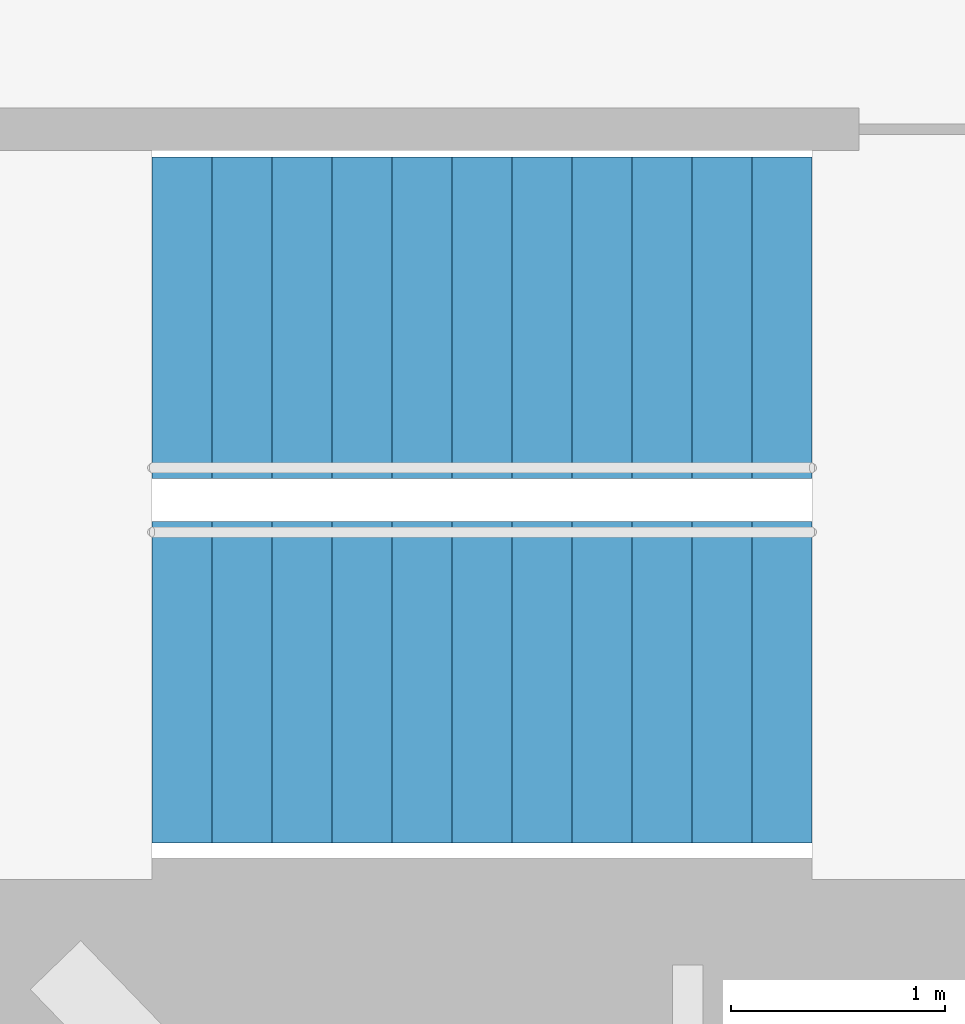
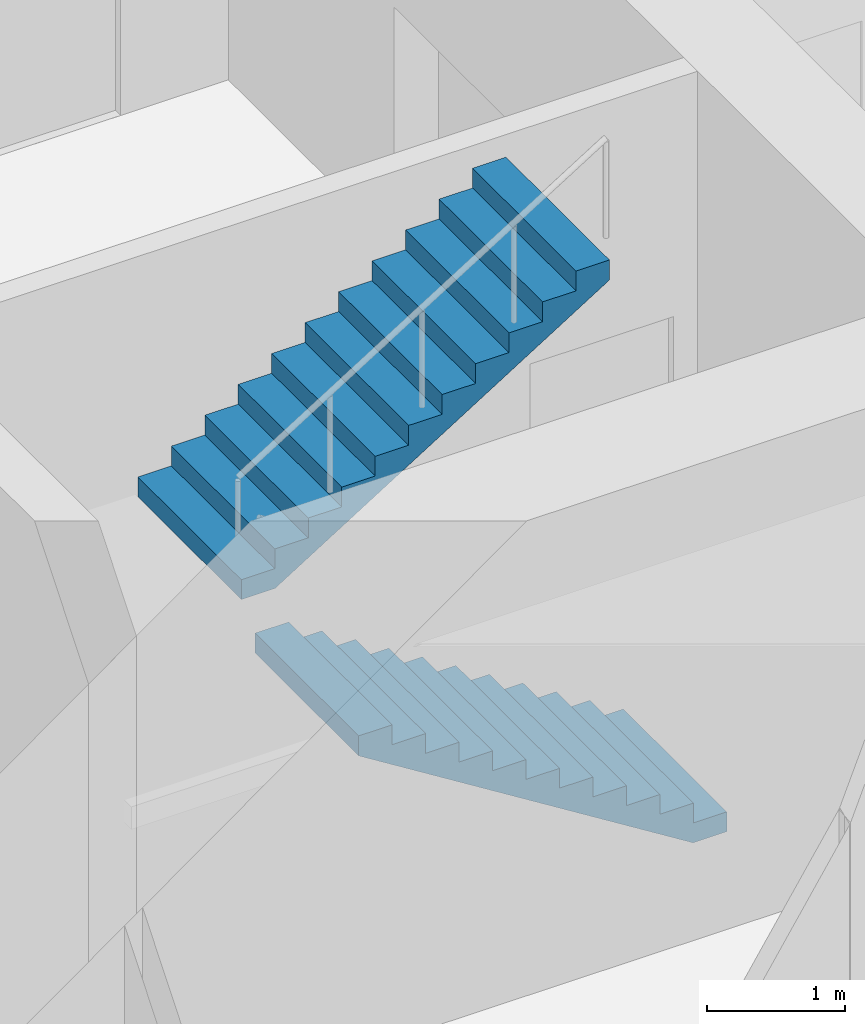
# One storey, part 17 of 18: 2 stair flights, 1 element without a shape of its own.
"""IFC4 building model written with IfcOpenShell, lengths in metres."""

import ifcopenshell
import ifcopenshell.guid

model = None  # the IFC model being written
_history = None  # IfcOwnerHistory: only IFC2X3 demands one
_inside = {}  # id of a spatial element -> (the spatial element, [elements in it])
_under = {}  # id of a project, library or spatial element -> (it, [spatial elements below it])
_declared = {}  # id of a project -> (the project, [libraries it declares])
_typed = {}  # id of a type object -> (the type object, [elements of that type])
_made_of = {}  # id of a material, layer set ... -> (it, [elements and type objects made of it])


def new_model(schema):
    """Start an empty IFC model of exactly this schema.

    Asked for "IFC4X3", IfcOpenShell would pick the latest addendum, in which some entities
    have other attributes; the version numbers below select the first issue.
    IFC2X3 requires an IfcOwnerHistory on every rooted entity: one is made here for all.
    """
    global model, _history
    if schema == "IFC4X3":
        model = ifcopenshell.file(schema_version=(4, 3, 0, 0))
    else:
        model = ifcopenshell.file(schema=schema)
    _inside.clear()
    _under.clear()
    _declared.clear()
    _typed.clear()
    _made_of.clear()
    _history = None
    if model.schema == "IFC2X3":
        org = make("IfcOrganization", Name="unknown")
        user = make(
            "IfcPersonAndOrganization",
            ThePerson=make("IfcPerson", FamilyName="unknown"),
            TheOrganization=org,
        )
        app = make(
            "IfcApplication",
            ApplicationDeveloper=org,
            Version="unknown",
            ApplicationFullName="unknown",
            ApplicationIdentifier="unknown",
        )
        _history = make(
            "IfcOwnerHistory",
            OwningUser=user,
            OwningApplication=app,
            ChangeAction="ADDED",
            CreationDate=0,
        )
    return model


def make(cls, **values):
    """One entity of the class cls with the attributes given. An attribute that is None is left unset."""
    return model.create_entity(
        cls, **{name: value for name, value in values.items() if value is not None}
    )


def rooted(cls, **values):
    """An entity with a GlobalId (a new one), such as an element, a storey or a relation."""
    return make(cls, GlobalId=ifcopenshell.guid.new(), OwnerHistory=_history, **values)


def si_unit(unit_type, name, prefix=None):
    """IfcSIUnit, for example si_unit("LENGTHUNIT", "METRE", prefix="MILLI")."""
    return make("IfcSIUnit", UnitType=unit_type, Prefix=prefix, Name=name)


def assignment(units):
    """IfcUnitAssignment: the units of a project."""
    return None if units is None else make("IfcUnitAssignment", Units=units)


def point(xyz):
    """IfcCartesianPoint."""
    return None if xyz is None else make("IfcCartesianPoint", Coordinates=xyz)


def direction(xyz):
    """IfcDirection."""
    return None if xyz is None else make("IfcDirection", DirectionRatios=xyz)


def frame(location, z_axis=None, x_axis=None):
    """IfcAxis2Placement3D, a coordinate frame: its origin and axes. An axis left out is left unset."""
    return make(
        "IfcAxis2Placement3D",
        Location=point(location),
        Axis=direction(z_axis),
        RefDirection=direction(x_axis),
    )


def origin():
    """The frame at (0, 0, 0) with its axes left unset."""
    return frame((0.0, 0.0, 0.0))


def place(relative_to, where):
    """IfcLocalPlacement: puts the frame where relative to a parent placement (None: the world)."""
    return make(
        "IfcLocalPlacement", PlacementRelTo=relative_to, RelativePlacement=where
    )


def context(
    kind, dimensions, precision=None, world=None, true_north=None, identifier=None
):
    """IfcGeometricRepresentationContext, for example the 3D "Model" context."""
    return make(
        "IfcGeometricRepresentationContext",
        ContextIdentifier=identifier,
        ContextType=kind,
        CoordinateSpaceDimension=dimensions,
        Precision=precision,
        WorldCoordinateSystem=world,
        TrueNorth=true_north,
    )


def subcontext(parent, identifier, kind, view, scale=None):
    """IfcGeometricRepresentationSubContext, for example "Body" below "Model"."""
    return make(
        "IfcGeometricRepresentationSubContext",
        ContextIdentifier=identifier,
        ContextType=kind,
        ParentContext=parent,
        TargetScale=scale,
        TargetView=view,
    )


def project(units=None, contexts=None):
    """IfcProject with its units and contexts."""
    return rooted(
        "IfcProject",
        Name="project",
        RepresentationContexts=contexts,
        UnitsInContext=assignment(units),
    )


def spatial(cls, under=None, at=None, **own):
    """A site, building, storey or space (cls), placed at a placement, below another one or the project."""
    s = rooted(cls, ObjectPlacement=at, **own)
    if under is not None:
        _under.setdefault(under.id(), (under, []))[1].append(s)
    return s


def point_list(points):
    """IfcCartesianPointList2D or 3D."""
    cls = (
        "IfcCartesianPointList2D" if len(points[0]) == 2 else "IfcCartesianPointList3D"
    )
    return make(cls, CoordList=points)


def triangles(points, corners, closed=None, point_numbers=None):
    """IfcTriangulatedFaceSet: each triangle names its three corners, points numbered from 1."""
    return make(
        "IfcTriangulatedFaceSet",
        Coordinates=point_list(points),
        Closed=closed,
        CoordIndex=corners,
        PnIndex=point_numbers,
    )


def shape(context_of_items, identifier, shape_type, items):
    """IfcShapeRepresentation: the items that make up one representation, for example the "Body"."""
    return make(
        "IfcShapeRepresentation",
        ContextOfItems=context_of_items,
        RepresentationIdentifier=identifier,
        RepresentationType=shape_type,
        Items=items,
    )


def material(Name=None, Category=None):
    """IfcMaterial."""
    return make("IfcMaterial", Name=Name, Category=Category)


def made_of(thing, what):
    """Note that an element or type object is made of a material, layer set ...; save() writes the relation."""
    if what is not None:
        _made_of.setdefault(what.id(), (what, []))[1].append(thing)
    return thing


def type_object(cls, material=None, **own):
    """A type object (cls), such as IfcWallType, which elements share."""
    return made_of(rooted(cls, **own), material)


def element(
    cls,
    number,
    at=None,
    inside=None,
    cuts=None,
    type_object=None,
    material=None,
    context=None,
    identifier="Body",
    shape_type=None,
    held_by="IfcProductDefinitionShape",
    body=None,
    shapes=None,
    **own,
):
    """One element of the class cls, such as IfcWall. Its Tag is "e" and its number.

    at: its placement. inside: the storey or other place that contains it. cuts: it is an
    opening in that element (IfcRelVoidsElement). A single representation is given by context,
    identifier, shape_type and body (its items); several are given by shapes. held_by: the class
    of the entity that holds the representations. save() writes the other relations.
    """
    e = rooted(cls, Tag="e%d" % number, ObjectPlacement=at, **own)
    if body is not None:
        shapes = [shape(context, identifier, shape_type, body)]
    if shapes is not None:
        e.Representation = make(held_by, Representations=shapes)
    if inside is not None:
        _inside.setdefault(inside.id(), (inside, []))[1].append(e)
    if cuts is not None:
        rooted(
            "IfcRelVoidsElement", RelatingBuildingElement=cuts, RelatedOpeningElement=e
        )
    if type_object is not None:
        _typed.setdefault(type_object.id(), (type_object, []))[1].append(e)
    return made_of(e, material)


def aggregate(whole, parts):
    """IfcRelAggregates: a whole, such as a stair, and the parts it consists of."""
    return rooted("IfcRelAggregates", RelatingObject=whole, RelatedObjects=parts)


def save(model, path):
    """Write the relations noted so far, then the file.

    IfcRelAggregates (storeys below a building ...), IfcRelContainedInSpatialStructure (elements
    in a storey), IfcRelDefinesByType, IfcRelAssociatesMaterial and IfcRelDeclares: one each for
    every whole, place, type object, material and project.
    """
    for whole, parts in _under.values():
        aggregate(whole, parts)
    for where, things in _inside.values():
        rooted(
            "IfcRelContainedInSpatialStructure",
            RelatedElements=things,
            RelatingStructure=where,
        )
    for kind, things in _typed.values():
        rooted("IfcRelDefinesByType", RelatedObjects=things, RelatingType=kind)
    for what, things in _made_of.values():
        rooted("IfcRelAssociatesMaterial", RelatedObjects=things, RelatingMaterial=what)
    for by, libraries in _declared.values():
        rooted("IfcRelDeclares", RelatingContext=by, RelatedDefinitions=libraries)
    model.write(path)


model = new_model("IFC4")

# Units and contexts
model_context = context("Model", 3, precision=1e-05, world=origin(), true_north=direction((0.0, 1.0)))
body_context = subcontext(model_context, "Body", "Model", "MODEL_VIEW")
ifc_project = project(units=[si_unit("LENGTHUNIT", "METRE"), si_unit("AREAUNIT", "SQUARE_METRE"), si_unit("VOLUMEUNIT", "CUBIC_METRE"), si_unit("PLANEANGLEUNIT", "RADIAN"), si_unit("MASSUNIT", "GRAM", prefix="KILO")], contexts=[model_context])

# Site, building, storey
site_placement = place(None, origin())
site = spatial("IfcSite", under=ifc_project, at=site_placement, CompositionType="ELEMENT")
building_placement = place(site_placement, origin())
building = spatial("IfcBuilding", under=site, at=building_placement, Name="Lantaw Convention Tower", CompositionType="ELEMENT")
storey_placement = place(building_placement, frame((0.0, 0.0, 266.199951171875)))
storey = spatial("IfcBuildingStorey", under=building, at=storey_placement, Name="L62", CompositionType="ELEMENT", Elevation=266.199951171875)

# Stair, stair flights
ifc_material = material(Name="Concrete C35/45", Category="concrete")
stair_type = type_object("IfcStairType", Name="Exit stair 1500 riser 175 in 2 flights", PredefinedType="HALF_TURN_STAIR", material=ifc_material)
stair_placement = place(storey_placement, origin())
stair = element("IfcStair", 1, at=stair_placement, inside=storey, type_object=stair_type, Name="Exit stair S2 L62", PredefinedType="HALF_TURN_STAIR")
stair_flight_type = type_object("IfcStairFlightType", Name="Stair flight 1500 riser 175", PredefinedType="STRAIGHT", material=ifc_material)
stair_flight_1_placement = place(storey_placement, frame((10.580078125, -5.97998046875, 0.0), z_axis=(0.0, 0.0, 1.0), x_axis=(-1.0, 0.0, 0.0)))
stair_flight_1 = element("IfcStairFlight", 2, at=stair_flight_1_placement, type_object=stair_flight_type, Name="S2 flight 1", NumberOfRisers=12, NumberOfTreads=11, PredefinedType="STRAIGHT", RiserHeight=0.175, TreadLength=0.28, context=body_context, shape_type="Tessellation", body=[
    triangles([(0.0, 0.75, 0.0), (0.0, 0.75, 0.175), (0.28, 0.75, 0.0), (0.28, 0.75, 0.175), (0.28, 0.75, 0.35), (0.28283517651771284, 0.75, 0.0), (0.28283517651771284, 0.75, 0.35), (0.56, 0.75, 0.17322801467642948), (0.56, 0.75, 0.35), (0.56, 0.75, 0.5249999999999999), (0.8400000000000001, 0.75, 0.34822801467642944), (0.8400000000000001, 0.75, 0.5249999999999999), (0.8400000000000001, 0.75, 0.7), (1.12, 0.75, 0.5232280146764294), (1.12, 0.75, 0.7), (1.12, 0.75, 0.875), (1.4000000000000001, 0.75, 0.6982280146764295), (1.4000000000000001, 0.75, 0.875), (1.4000000000000001, 0.75, 1.0499999999999998), (1.6800000000000002, 0.75, 0.8732280146764294), (1.6800000000000002, 0.75, 1.0499999999999998), (1.6800000000000002, 0.75, 1.2249999999999999), (1.9600000000000002, 0.75, 1.0482280146764293), (1.9600000000000002, 0.75, 1.2249999999999999), (1.9600000000000002, 0.75, 1.4), (2.24, 0.75, 1.2232280146764294), (2.24, 0.75, 1.4), (2.24, 0.75, 1.575), (2.5200000000000005, 0.75, 1.3982280146764294), (2.5200000000000005, 0.75, 1.575), (2.5200000000000005, 0.75, 1.75), (2.8000000000000003, 0.75, 1.5732280146764293), (2.8000000000000003, 0.75, 1.75), (2.8000000000000003, 0.75, 1.9249999999999998), (3.08, 0.75, 1.7482280146764293), (3.08, 0.75, 1.9249999999999998), (0.0, -0.75, 0.0), (0.0, -0.75, 0.175), (0.28, -0.75, 0.0), (0.28, -0.75, 0.175), (0.28, -0.75, 0.35), (0.28283517651771284, -0.75, 0.0), (0.28283517651771284, -0.75, 0.35), (0.56, -0.75, 0.17322801467642948), (0.56, -0.75, 0.35), (0.56, -0.75, 0.5249999999999999), (0.8400000000000001, -0.75, 0.34822801467642944), (0.8400000000000001, -0.75, 0.5249999999999999), (0.8400000000000001, -0.75, 0.7), (1.12, -0.75, 0.5232280146764294), (1.12, -0.75, 0.7), (1.12, -0.75, 0.875), (1.4000000000000001, -0.75, 0.6982280146764295), (1.4000000000000001, -0.75, 0.875), (1.4000000000000001, -0.75, 1.0499999999999998), (1.6800000000000002, -0.75, 0.8732280146764294), (1.6800000000000002, -0.75, 1.0499999999999998), (1.6800000000000002, -0.75, 1.2249999999999999), (1.9600000000000002, -0.75, 1.0482280146764293), (1.9600000000000002, -0.75, 1.2249999999999999), (1.9600000000000002, -0.75, 1.4), (2.24, -0.75, 1.2232280146764294), (2.24, -0.75, 1.4), (2.24, -0.75, 1.575), (2.5200000000000005, -0.75, 1.3982280146764294), (2.5200000000000005, -0.75, 1.575), (2.5200000000000005, -0.75, 1.75), (2.8000000000000003, -0.75, 1.5732280146764293), (2.8000000000000003, -0.75, 1.75), (2.8000000000000003, -0.75, 1.9249999999999998), (3.08, -0.75, 1.7482280146764293), (3.08, -0.75, 1.9249999999999998), (0.0, 0.15000000000000002, 0.175), (0.0, 0.15000000000000002, 0.0), (0.0, 0.0, 0.175), (0.0, 0.0, 0.0), (0.0, -0.15000000000000002, 0.175), (0.0, -0.15000000000000002, 0.0), (0.28, 0.15000000000000002, 0.35), (0.28, 0.15000000000000002, 0.175), (0.28, 0.0, 0.35), (0.28, 0.0, 0.175), (0.28, -0.15000000000000002, 0.35), (0.28, -0.15000000000000002, 0.175), (0.56, 0.15000000000000002, 0.5249999999999999), (0.56, 0.15000000000000002, 0.35), (0.56, 0.0, 0.5249999999999999), (0.56, 0.0, 0.35), (0.56, -0.15000000000000002, 0.5249999999999999), (0.56, -0.15000000000000002, 0.35), (0.8400000000000001, 0.15000000000000002, 0.7), (0.8400000000000001, 0.15000000000000002, 0.5249999999999999), (0.8400000000000001, 0.0, 0.7), (0.8400000000000001, 0.0, 0.5249999999999999), (0.8400000000000001, -0.15000000000000002, 0.7), (0.8400000000000001, -0.15000000000000002, 0.5249999999999999), (1.12, 0.15000000000000002, 0.875), (1.12, 0.15000000000000002, 0.7), (1.12, 0.0, 0.875), (1.12, 0.0, 0.7), (1.12, -0.15000000000000002, 0.875), (1.12, -0.15000000000000002, 0.7), (1.4000000000000001, 0.15000000000000002, 1.0499999999999998), (1.4000000000000001, 0.15000000000000002, 0.875), (1.4000000000000001, 0.0, 1.0499999999999998), (1.4000000000000001, 0.0, 0.875), (1.4000000000000001, -0.15000000000000002, 1.0499999999999998), (1.4000000000000001, -0.15000000000000002, 0.875), (1.6800000000000002, 0.15000000000000002, 1.2249999999999999), (1.6800000000000002, 0.15000000000000002, 1.0499999999999998), (1.6800000000000002, 0.0, 1.2249999999999999), (1.6800000000000002, 0.0, 1.0499999999999998), (1.6800000000000002, -0.15000000000000002, 1.2249999999999999), (1.6800000000000002, -0.15000000000000002, 1.0499999999999998), (1.9600000000000002, 0.15000000000000002, 1.4), (1.9600000000000002, 0.15000000000000002, 1.2249999999999999), (1.9600000000000002, 0.0, 1.4), (1.9600000000000002, 0.0, 1.2249999999999999), (1.9600000000000002, -0.15000000000000002, 1.4), (1.9600000000000002, -0.15000000000000002, 1.2249999999999999), (2.24, 0.15000000000000002, 1.575), (2.24, 0.15000000000000002, 1.4), (2.24, 0.0, 1.575), (2.24, 0.0, 1.4), (2.24, -0.15000000000000002, 1.575), (2.24, -0.15000000000000002, 1.4), (2.5200000000000005, 0.15000000000000002, 1.75), (2.5200000000000005, 0.15000000000000002, 1.575), (2.5200000000000005, 0.0, 1.75), (2.5200000000000005, 0.0, 1.575), (2.5200000000000005, -0.15000000000000002, 1.75), (2.5200000000000005, -0.15000000000000002, 1.575), (2.8000000000000003, 0.15000000000000002, 1.9249999999999998), (2.8000000000000003, 0.15000000000000002, 1.75), (2.8000000000000003, 0.0, 1.9249999999999998), (2.8000000000000003, 0.0, 1.75), (2.8000000000000003, -0.15000000000000002, 1.9249999999999998), (2.8000000000000003, -0.15000000000000002, 1.75), (0.28283517651771284, 0.15000000000000002, 0.35), (0.28283517651771284, 0.0, 0.35), (0.28283517651771284, -0.15000000000000002, 0.35), (3.08, 0.15000000000000002, 1.9249999999999998), (3.08, 0.0, 1.9249999999999998), (3.08, -0.15000000000000002, 1.9249999999999998), (3.08, 0.15000000000000002, 1.7482280146764293), (3.08, 0.0, 1.7482280146764293), (3.08, -0.15000000000000002, 1.7482280146764293), (2.8000000000000003, 0.15000000000000002, 1.5732280146764293), (2.8000000000000003, 0.0, 1.5732280146764293), (2.8000000000000003, -0.15000000000000002, 1.5732280146764293), (2.5200000000000005, 0.15000000000000002, 1.3982280146764294), (2.5200000000000005, 0.0, 1.3982280146764294), (2.5200000000000005, -0.15000000000000002, 1.3982280146764294), (2.24, 0.15000000000000002, 1.2232280146764294), (2.24, 0.0, 1.2232280146764294), (2.24, -0.15000000000000002, 1.2232280146764294), (1.9600000000000002, 0.15000000000000002, 1.0482280146764293), (1.9600000000000002, 0.0, 1.0482280146764293), (1.9600000000000002, -0.15000000000000002, 1.0482280146764293), (1.6800000000000002, 0.15000000000000002, 0.8732280146764294), (1.6800000000000002, 0.0, 0.8732280146764294), (1.6800000000000002, -0.15000000000000002, 0.8732280146764294), (1.4000000000000001, 0.15000000000000002, 0.6982280146764295), (1.4000000000000001, 0.0, 0.6982280146764295), (1.4000000000000001, -0.15000000000000002, 0.6982280146764295), (1.12, 0.15000000000000002, 0.5232280146764294), (1.12, 0.0, 0.5232280146764294), (1.12, -0.15000000000000002, 0.5232280146764294), (0.8400000000000001, 0.15000000000000002, 0.34822801467642944), (0.8400000000000001, 0.0, 0.34822801467642944), (0.8400000000000001, -0.15000000000000002, 0.34822801467642944), (0.56, 0.15000000000000002, 0.17322801467642948), (0.56, 0.0, 0.17322801467642948), (0.56, -0.15000000000000002, 0.17322801467642948), (0.28283517651771284, 0.15000000000000002, 0.0), (0.28283517651771284, 0.0, 0.0), (0.28283517651771284, -0.15000000000000002, 0.0), (0.28, 0.15000000000000002, 0.0), (0.28, 0.0, 0.0), (0.28, -0.15000000000000002, 0.0)], [[1, 4, 3], [1, 2, 4], [3, 4, 6], [4, 7, 6], [4, 5, 7], [6, 9, 8], [6, 7, 9], [8, 9, 11], [9, 12, 11], [9, 10, 12], [11, 12, 14], [12, 15, 14], [12, 13, 15], [14, 15, 17], [15, 18, 17], [15, 16, 18], [17, 18, 20], [18, 21, 20], [18, 19, 21], [20, 21, 23], [21, 24, 23], [21, 22, 24], [23, 24, 26], [24, 27, 26], [24, 25, 27], [26, 27, 29], [27, 30, 29], [27, 28, 30], [29, 30, 32], [30, 33, 32], [30, 31, 33], [32, 33, 35], [33, 36, 35], [33, 34, 36], [37, 39, 40], [37, 40, 38], [39, 42, 40], [40, 42, 43], [40, 43, 41], [42, 44, 45], [42, 45, 43], [44, 47, 45], [45, 47, 48], [45, 48, 46], [47, 50, 48], [48, 50, 51], [48, 51, 49], [50, 53, 51], [51, 53, 54], [51, 54, 52], [53, 56, 54], [54, 56, 57], [54, 57, 55], [56, 59, 57], [57, 59, 60], [57, 60, 58], [59, 62, 60], [60, 62, 63], [60, 63, 61], [62, 65, 63], [63, 65, 66], [63, 66, 64], [65, 68, 66], [66, 68, 69], [66, 69, 67], [68, 71, 69], [69, 71, 72], [69, 72, 70], [1, 73, 2], [1, 74, 73], [74, 75, 73], [74, 76, 75], [76, 77, 75], [76, 78, 77], [78, 38, 77], [78, 37, 38], [4, 79, 5], [4, 80, 79], [80, 81, 79], [80, 82, 81], [82, 83, 81], [82, 84, 83], [84, 41, 83], [84, 40, 41], [9, 85, 10], [9, 86, 85], [86, 87, 85], [86, 88, 87], [88, 89, 87], [88, 90, 89], [90, 46, 89], [90, 45, 46], [12, 91, 13], [12, 92, 91], [92, 93, 91], [92, 94, 93], [94, 95, 93], [94, 96, 95], [96, 49, 95], [96, 48, 49], [15, 97, 16], [15, 98, 97], [98, 99, 97], [98, 100, 99], [100, 101, 99], [100, 102, 101], [102, 52, 101], [102, 51, 52], [18, 103, 19], [18, 104, 103], [104, 105, 103], [104, 106, 105], [106, 107, 105], [106, 108, 107], [108, 55, 107], [108, 54, 55], [21, 109, 22], [21, 110, 109], [110, 111, 109], [110, 112, 111], [112, 113, 111], [112, 114, 113], [114, 58, 113], [114, 57, 58], [24, 115, 25], [24, 116, 115], [116, 117, 115], [116, 118, 117], [118, 119, 117], [118, 120, 119], [120, 61, 119], [120, 60, 61], [27, 121, 28], [27, 122, 121], [122, 123, 121], [122, 124, 123], [124, 125, 123], [124, 126, 125], [126, 64, 125], [126, 63, 64], [30, 127, 31], [30, 128, 127], [128, 129, 127], [128, 130, 129], [130, 131, 129], [130, 132, 131], [132, 67, 131], [132, 66, 67], [33, 133, 34], [33, 134, 133], [134, 135, 133], [134, 136, 135], [136, 137, 135], [136, 138, 137], [138, 70, 137], [138, 69, 70], [2, 80, 4], [2, 73, 80], [73, 82, 80], [73, 75, 82], [75, 84, 82], [75, 77, 84], [77, 40, 84], [77, 38, 40], [5, 139, 7], [5, 79, 139], [79, 140, 139], [79, 81, 140], [81, 141, 140], [81, 83, 141], [83, 43, 141], [83, 41, 43], [7, 86, 9], [7, 139, 86], [139, 88, 86], [139, 140, 88], [140, 90, 88], [140, 141, 90], [141, 45, 90], [141, 43, 45], [10, 92, 12], [10, 85, 92], [85, 94, 92], [85, 87, 94], [87, 96, 94], [87, 89, 96], [89, 48, 96], [89, 46, 48], [13, 98, 15], [13, 91, 98], [91, 100, 98], [91, 93, 100], [93, 102, 100], [93, 95, 102], [95, 51, 102], [95, 49, 51], [16, 104, 18], [16, 97, 104], [97, 106, 104], [97, 99, 106], [99, 108, 106], [99, 101, 108], [101, 54, 108], [101, 52, 54], [19, 110, 21], [19, 103, 110], [103, 112, 110], [103, 105, 112], [105, 114, 112], [105, 107, 114], [107, 57, 114], [107, 55, 57], [22, 116, 24], [22, 109, 116], [109, 118, 116], [109, 111, 118], [111, 120, 118], [111, 113, 120], [113, 60, 120], [113, 58, 60], [25, 122, 27], [25, 115, 122], [115, 124, 122], [115, 117, 124], [117, 126, 124], [117, 119, 126], [119, 63, 126], [119, 61, 63], [28, 128, 30], [28, 121, 128], [121, 130, 128], [121, 123, 130], [123, 132, 130], [123, 125, 132], [125, 66, 132], [125, 64, 66], [31, 134, 33], [31, 127, 134], [127, 136, 134], [127, 129, 136], [129, 138, 136], [129, 131, 138], [131, 69, 138], [131, 67, 69], [34, 142, 36], [34, 133, 142], [133, 143, 142], [133, 135, 143], [135, 144, 143], [135, 137, 144], [137, 72, 144], [137, 70, 72], [36, 145, 35], [36, 142, 145], [142, 146, 145], [142, 143, 146], [143, 147, 146], [143, 144, 147], [144, 71, 147], [144, 72, 71], [35, 148, 32], [35, 145, 148], [145, 149, 148], [145, 146, 149], [146, 150, 149], [146, 147, 150], [147, 68, 150], [147, 71, 68], [32, 151, 29], [32, 148, 151], [148, 152, 151], [148, 149, 152], [149, 153, 152], [149, 150, 153], [150, 65, 153], [150, 68, 65], [29, 154, 26], [29, 151, 154], [151, 155, 154], [151, 152, 155], [152, 156, 155], [152, 153, 156], [153, 62, 156], [153, 65, 62], [26, 157, 23], [26, 154, 157], [154, 158, 157], [154, 155, 158], [155, 159, 158], [155, 156, 159], [156, 59, 159], [156, 62, 59], [23, 160, 20], [23, 157, 160], [157, 161, 160], [157, 158, 161], [158, 162, 161], [158, 159, 162], [159, 56, 162], [159, 59, 56], [20, 163, 17], [20, 160, 163], [160, 164, 163], [160, 161, 164], [161, 165, 164], [161, 162, 165], [162, 53, 165], [162, 56, 53], [17, 166, 14], [17, 163, 166], [163, 167, 166], [163, 164, 167], [164, 168, 167], [164, 165, 168], [165, 50, 168], [165, 53, 50], [14, 169, 11], [14, 166, 169], [166, 170, 169], [166, 167, 170], [167, 171, 170], [167, 168, 171], [168, 47, 171], [168, 50, 47], [11, 172, 8], [11, 169, 172], [169, 173, 172], [169, 170, 173], [170, 174, 173], [170, 171, 174], [171, 44, 174], [171, 47, 44], [8, 175, 6], [8, 172, 175], [172, 176, 175], [172, 173, 176], [173, 177, 176], [173, 174, 177], [174, 42, 177], [174, 44, 42], [6, 178, 3], [6, 175, 178], [175, 179, 178], [175, 176, 179], [176, 180, 179], [176, 177, 180], [177, 39, 180], [177, 42, 39], [3, 74, 1], [3, 178, 74], [178, 76, 74], [178, 179, 76], [179, 78, 76], [179, 180, 78], [180, 37, 78], [180, 39, 37]], closed=True),
])
stair_flight_2_placement = place(storey_placement, frame((7.5, -4.280029296875, 2.10009765625), z_axis=(0.0, 0.0, 1.0), x_axis=(1.0, 0.0, 0.0)))
stair_flight_2 = element("IfcStairFlight", 3, at=stair_flight_2_placement, type_object=stair_flight_type, Name="S2 flight 2", NumberOfRisers=12, NumberOfTreads=11, PredefinedType="STRAIGHT", RiserHeight=0.175, TreadLength=0.28, context=body_context, shape_type="Tessellation", body=[
    triangles([(0.0, 0.75, 0.0), (0.0, 0.75, 0.175), (0.28, 0.75, 0.0), (0.28, 0.75, 0.175), (0.28, 0.75, 0.35), (0.28283517651771284, 0.75, 0.0), (0.28283517651771284, 0.75, 0.35), (0.56, 0.75, 0.17322801467642948), (0.56, 0.75, 0.35), (0.56, 0.75, 0.5249999999999999), (0.8400000000000001, 0.75, 0.34822801467642944), (0.8400000000000001, 0.75, 0.5249999999999999), (0.8400000000000001, 0.75, 0.7), (1.12, 0.75, 0.5232280146764294), (1.12, 0.75, 0.7), (1.12, 0.75, 0.875), (1.4000000000000001, 0.75, 0.6982280146764295), (1.4000000000000001, 0.75, 0.875), (1.4000000000000001, 0.75, 1.0499999999999998), (1.6800000000000002, 0.75, 0.8732280146764294), (1.6800000000000002, 0.75, 1.0499999999999998), (1.6800000000000002, 0.75, 1.2249999999999999), (1.9600000000000002, 0.75, 1.0482280146764293), (1.9600000000000002, 0.75, 1.2249999999999999), (1.9600000000000002, 0.75, 1.4), (2.24, 0.75, 1.2232280146764294), (2.24, 0.75, 1.4), (2.24, 0.75, 1.575), (2.5200000000000005, 0.75, 1.3982280146764294), (2.5200000000000005, 0.75, 1.575), (2.5200000000000005, 0.75, 1.75), (2.8000000000000003, 0.75, 1.5732280146764293), (2.8000000000000003, 0.75, 1.75), (2.8000000000000003, 0.75, 1.9249999999999998), (3.08, 0.75, 1.7482280146764293), (3.08, 0.75, 1.9249999999999998), (0.0, -0.75, 0.0), (0.0, -0.75, 0.175), (0.28, -0.75, 0.0), (0.28, -0.75, 0.175), (0.28, -0.75, 0.35), (0.28283517651771284, -0.75, 0.0), (0.28283517651771284, -0.75, 0.35), (0.56, -0.75, 0.17322801467642948), (0.56, -0.75, 0.35), (0.56, -0.75, 0.5249999999999999), (0.8400000000000001, -0.75, 0.34822801467642944), (0.8400000000000001, -0.75, 0.5249999999999999), (0.8400000000000001, -0.75, 0.7), (1.12, -0.75, 0.5232280146764294), (1.12, -0.75, 0.7), (1.12, -0.75, 0.875), (1.4000000000000001, -0.75, 0.6982280146764295), (1.4000000000000001, -0.75, 0.875), (1.4000000000000001, -0.75, 1.0499999999999998), (1.6800000000000002, -0.75, 0.8732280146764294), (1.6800000000000002, -0.75, 1.0499999999999998), (1.6800000000000002, -0.75, 1.2249999999999999), (1.9600000000000002, -0.75, 1.0482280146764293), (1.9600000000000002, -0.75, 1.2249999999999999), (1.9600000000000002, -0.75, 1.4), (2.24, -0.75, 1.2232280146764294), (2.24, -0.75, 1.4), (2.24, -0.75, 1.575), (2.5200000000000005, -0.75, 1.3982280146764294), (2.5200000000000005, -0.75, 1.575), (2.5200000000000005, -0.75, 1.75), (2.8000000000000003, -0.75, 1.5732280146764293), (2.8000000000000003, -0.75, 1.75), (2.8000000000000003, -0.75, 1.9249999999999998), (3.08, -0.75, 1.7482280146764293), (3.08, -0.75, 1.9249999999999998), (0.0, 0.15000000000000002, 0.175), (0.0, 0.15000000000000002, 0.0), (0.0, 0.0, 0.175), (0.0, 0.0, 0.0), (0.0, -0.15000000000000002, 0.175), (0.0, -0.15000000000000002, 0.0), (0.28, 0.15000000000000002, 0.35), (0.28, 0.15000000000000002, 0.175), (0.28, 0.0, 0.35), (0.28, 0.0, 0.175), (0.28, -0.15000000000000002, 0.35), (0.28, -0.15000000000000002, 0.175), (0.56, 0.15000000000000002, 0.5249999999999999), (0.56, 0.15000000000000002, 0.35), (0.56, 0.0, 0.5249999999999999), (0.56, 0.0, 0.35), (0.56, -0.15000000000000002, 0.5249999999999999), (0.56, -0.15000000000000002, 0.35), (0.8400000000000001, 0.15000000000000002, 0.7), (0.8400000000000001, 0.15000000000000002, 0.5249999999999999), (0.8400000000000001, 0.0, 0.7), (0.8400000000000001, 0.0, 0.5249999999999999), (0.8400000000000001, -0.15000000000000002, 0.7), (0.8400000000000001, -0.15000000000000002, 0.5249999999999999), (1.12, 0.15000000000000002, 0.875), (1.12, 0.15000000000000002, 0.7), (1.12, 0.0, 0.875), (1.12, 0.0, 0.7), (1.12, -0.15000000000000002, 0.875), (1.12, -0.15000000000000002, 0.7), (1.4000000000000001, 0.15000000000000002, 1.0499999999999998), (1.4000000000000001, 0.15000000000000002, 0.875), (1.4000000000000001, 0.0, 1.0499999999999998), (1.4000000000000001, 0.0, 0.875), (1.4000000000000001, -0.15000000000000002, 1.0499999999999998), (1.4000000000000001, -0.15000000000000002, 0.875), (1.6800000000000002, 0.15000000000000002, 1.2249999999999999), (1.6800000000000002, 0.15000000000000002, 1.0499999999999998), (1.6800000000000002, 0.0, 1.2249999999999999), (1.6800000000000002, 0.0, 1.0499999999999998), (1.6800000000000002, -0.15000000000000002, 1.2249999999999999), (1.6800000000000002, -0.15000000000000002, 1.0499999999999998), (1.9600000000000002, 0.15000000000000002, 1.4), (1.9600000000000002, 0.15000000000000002, 1.2249999999999999), (1.9600000000000002, 0.0, 1.4), (1.9600000000000002, 0.0, 1.2249999999999999), (1.9600000000000002, -0.15000000000000002, 1.4), (1.9600000000000002, -0.15000000000000002, 1.2249999999999999), (2.24, 0.15000000000000002, 1.575), (2.24, 0.15000000000000002, 1.4), (2.24, 0.0, 1.575), (2.24, 0.0, 1.4), (2.24, -0.15000000000000002, 1.575), (2.24, -0.15000000000000002, 1.4), (2.5200000000000005, 0.15000000000000002, 1.75), (2.5200000000000005, 0.15000000000000002, 1.575), (2.5200000000000005, 0.0, 1.75), (2.5200000000000005, 0.0, 1.575), (2.5200000000000005, -0.15000000000000002, 1.75), (2.5200000000000005, -0.15000000000000002, 1.575), (2.8000000000000003, 0.15000000000000002, 1.9249999999999998), (2.8000000000000003, 0.15000000000000002, 1.75), (2.8000000000000003, 0.0, 1.9249999999999998), (2.8000000000000003, 0.0, 1.75), (2.8000000000000003, -0.15000000000000002, 1.9249999999999998), (2.8000000000000003, -0.15000000000000002, 1.75), (0.28283517651771284, 0.15000000000000002, 0.35), (0.28283517651771284, 0.0, 0.35), (0.28283517651771284, -0.15000000000000002, 0.35), (3.08, 0.15000000000000002, 1.9249999999999998), (3.08, 0.0, 1.9249999999999998), (3.08, -0.15000000000000002, 1.9249999999999998), (3.08, 0.15000000000000002, 1.7482280146764293), (3.08, 0.0, 1.7482280146764293), (3.08, -0.15000000000000002, 1.7482280146764293), (2.8000000000000003, 0.15000000000000002, 1.5732280146764293), (2.8000000000000003, 0.0, 1.5732280146764293), (2.8000000000000003, -0.15000000000000002, 1.5732280146764293), (2.5200000000000005, 0.15000000000000002, 1.3982280146764294), (2.5200000000000005, 0.0, 1.3982280146764294), (2.5200000000000005, -0.15000000000000002, 1.3982280146764294), (2.24, 0.15000000000000002, 1.2232280146764294), (2.24, 0.0, 1.2232280146764294), (2.24, -0.15000000000000002, 1.2232280146764294), (1.9600000000000002, 0.15000000000000002, 1.0482280146764293), (1.9600000000000002, 0.0, 1.0482280146764293), (1.9600000000000002, -0.15000000000000002, 1.0482280146764293), (1.6800000000000002, 0.15000000000000002, 0.8732280146764294), (1.6800000000000002, 0.0, 0.8732280146764294), (1.6800000000000002, -0.15000000000000002, 0.8732280146764294), (1.4000000000000001, 0.15000000000000002, 0.6982280146764295), (1.4000000000000001, 0.0, 0.6982280146764295), (1.4000000000000001, -0.15000000000000002, 0.6982280146764295), (1.12, 0.15000000000000002, 0.5232280146764294), (1.12, 0.0, 0.5232280146764294), (1.12, -0.15000000000000002, 0.5232280146764294), (0.8400000000000001, 0.15000000000000002, 0.34822801467642944), (0.8400000000000001, 0.0, 0.34822801467642944), (0.8400000000000001, -0.15000000000000002, 0.34822801467642944), (0.56, 0.15000000000000002, 0.17322801467642948), (0.56, 0.0, 0.17322801467642948), (0.56, -0.15000000000000002, 0.17322801467642948), (0.28283517651771284, 0.15000000000000002, 0.0), (0.28283517651771284, 0.0, 0.0), (0.28283517651771284, -0.15000000000000002, 0.0), (0.28, 0.15000000000000002, 0.0), (0.28, 0.0, 0.0), (0.28, -0.15000000000000002, 0.0)], [[1, 4, 3], [1, 2, 4], [3, 4, 6], [4, 7, 6], [4, 5, 7], [6, 9, 8], [6, 7, 9], [8, 9, 11], [9, 12, 11], [9, 10, 12], [11, 12, 14], [12, 15, 14], [12, 13, 15], [14, 15, 17], [15, 18, 17], [15, 16, 18], [17, 18, 20], [18, 21, 20], [18, 19, 21], [20, 21, 23], [21, 24, 23], [21, 22, 24], [23, 24, 26], [24, 27, 26], [24, 25, 27], [26, 27, 29], [27, 30, 29], [27, 28, 30], [29, 30, 32], [30, 33, 32], [30, 31, 33], [32, 33, 35], [33, 36, 35], [33, 34, 36], [37, 39, 40], [37, 40, 38], [39, 42, 40], [40, 42, 43], [40, 43, 41], [42, 44, 45], [42, 45, 43], [44, 47, 45], [45, 47, 48], [45, 48, 46], [47, 50, 48], [48, 50, 51], [48, 51, 49], [50, 53, 51], [51, 53, 54], [51, 54, 52], [53, 56, 54], [54, 56, 57], [54, 57, 55], [56, 59, 57], [57, 59, 60], [57, 60, 58], [59, 62, 60], [60, 62, 63], [60, 63, 61], [62, 65, 63], [63, 65, 66], [63, 66, 64], [65, 68, 66], [66, 68, 69], [66, 69, 67], [68, 71, 69], [69, 71, 72], [69, 72, 70], [1, 73, 2], [1, 74, 73], [74, 75, 73], [74, 76, 75], [76, 77, 75], [76, 78, 77], [78, 38, 77], [78, 37, 38], [4, 79, 5], [4, 80, 79], [80, 81, 79], [80, 82, 81], [82, 83, 81], [82, 84, 83], [84, 41, 83], [84, 40, 41], [9, 85, 10], [9, 86, 85], [86, 87, 85], [86, 88, 87], [88, 89, 87], [88, 90, 89], [90, 46, 89], [90, 45, 46], [12, 91, 13], [12, 92, 91], [92, 93, 91], [92, 94, 93], [94, 95, 93], [94, 96, 95], [96, 49, 95], [96, 48, 49], [15, 97, 16], [15, 98, 97], [98, 99, 97], [98, 100, 99], [100, 101, 99], [100, 102, 101], [102, 52, 101], [102, 51, 52], [18, 103, 19], [18, 104, 103], [104, 105, 103], [104, 106, 105], [106, 107, 105], [106, 108, 107], [108, 55, 107], [108, 54, 55], [21, 109, 22], [21, 110, 109], [110, 111, 109], [110, 112, 111], [112, 113, 111], [112, 114, 113], [114, 58, 113], [114, 57, 58], [24, 115, 25], [24, 116, 115], [116, 117, 115], [116, 118, 117], [118, 119, 117], [118, 120, 119], [120, 61, 119], [120, 60, 61], [27, 121, 28], [27, 122, 121], [122, 123, 121], [122, 124, 123], [124, 125, 123], [124, 126, 125], [126, 64, 125], [126, 63, 64], [30, 127, 31], [30, 128, 127], [128, 129, 127], [128, 130, 129], [130, 131, 129], [130, 132, 131], [132, 67, 131], [132, 66, 67], [33, 133, 34], [33, 134, 133], [134, 135, 133], [134, 136, 135], [136, 137, 135], [136, 138, 137], [138, 70, 137], [138, 69, 70], [2, 80, 4], [2, 73, 80], [73, 82, 80], [73, 75, 82], [75, 84, 82], [75, 77, 84], [77, 40, 84], [77, 38, 40], [5, 139, 7], [5, 79, 139], [79, 140, 139], [79, 81, 140], [81, 141, 140], [81, 83, 141], [83, 43, 141], [83, 41, 43], [7, 86, 9], [7, 139, 86], [139, 88, 86], [139, 140, 88], [140, 90, 88], [140, 141, 90], [141, 45, 90], [141, 43, 45], [10, 92, 12], [10, 85, 92], [85, 94, 92], [85, 87, 94], [87, 96, 94], [87, 89, 96], [89, 48, 96], [89, 46, 48], [13, 98, 15], [13, 91, 98], [91, 100, 98], [91, 93, 100], [93, 102, 100], [93, 95, 102], [95, 51, 102], [95, 49, 51], [16, 104, 18], [16, 97, 104], [97, 106, 104], [97, 99, 106], [99, 108, 106], [99, 101, 108], [101, 54, 108], [101, 52, 54], [19, 110, 21], [19, 103, 110], [103, 112, 110], [103, 105, 112], [105, 114, 112], [105, 107, 114], [107, 57, 114], [107, 55, 57], [22, 116, 24], [22, 109, 116], [109, 118, 116], [109, 111, 118], [111, 120, 118], [111, 113, 120], [113, 60, 120], [113, 58, 60], [25, 122, 27], [25, 115, 122], [115, 124, 122], [115, 117, 124], [117, 126, 124], [117, 119, 126], [119, 63, 126], [119, 61, 63], [28, 128, 30], [28, 121, 128], [121, 130, 128], [121, 123, 130], [123, 132, 130], [123, 125, 132], [125, 66, 132], [125, 64, 66], [31, 134, 33], [31, 127, 134], [127, 136, 134], [127, 129, 136], [129, 138, 136], [129, 131, 138], [131, 69, 138], [131, 67, 69], [34, 142, 36], [34, 133, 142], [133, 143, 142], [133, 135, 143], [135, 144, 143], [135, 137, 144], [137, 72, 144], [137, 70, 72], [36, 145, 35], [36, 142, 145], [142, 146, 145], [142, 143, 146], [143, 147, 146], [143, 144, 147], [144, 71, 147], [144, 72, 71], [35, 148, 32], [35, 145, 148], [145, 149, 148], [145, 146, 149], [146, 150, 149], [146, 147, 150], [147, 68, 150], [147, 71, 68], [32, 151, 29], [32, 148, 151], [148, 152, 151], [148, 149, 152], [149, 153, 152], [149, 150, 153], [150, 65, 153], [150, 68, 65], [29, 154, 26], [29, 151, 154], [151, 155, 154], [151, 152, 155], [152, 156, 155], [152, 153, 156], [153, 62, 156], [153, 65, 62], [26, 157, 23], [26, 154, 157], [154, 158, 157], [154, 155, 158], [155, 159, 158], [155, 156, 159], [156, 59, 159], [156, 62, 59], [23, 160, 20], [23, 157, 160], [157, 161, 160], [157, 158, 161], [158, 162, 161], [158, 159, 162], [159, 56, 162], [159, 59, 56], [20, 163, 17], [20, 160, 163], [160, 164, 163], [160, 161, 164], [161, 165, 164], [161, 162, 165], [162, 53, 165], [162, 56, 53], [17, 166, 14], [17, 163, 166], [163, 167, 166], [163, 164, 167], [164, 168, 167], [164, 165, 168], [165, 50, 168], [165, 53, 50], [14, 169, 11], [14, 166, 169], [166, 170, 169], [166, 167, 170], [167, 171, 170], [167, 168, 171], [168, 47, 171], [168, 50, 47], [11, 172, 8], [11, 169, 172], [169, 173, 172], [169, 170, 173], [170, 174, 173], [170, 171, 174], [171, 44, 174], [171, 47, 44], [8, 175, 6], [8, 172, 175], [172, 176, 175], [172, 173, 176], [173, 177, 176], [173, 174, 177], [174, 42, 177], [174, 44, 42], [6, 178, 3], [6, 175, 178], [175, 179, 178], [175, 176, 179], [176, 180, 179], [176, 177, 180], [177, 39, 180], [177, 42, 39], [3, 74, 1], [3, 178, 74], [178, 76, 74], [178, 179, 76], [179, 78, 76], [179, 180, 78], [180, 37, 78], [180, 39, 37]], closed=True),
])
aggregate(stair, [stair_flight_1, stair_flight_2])

save(model, "model.ifc")
